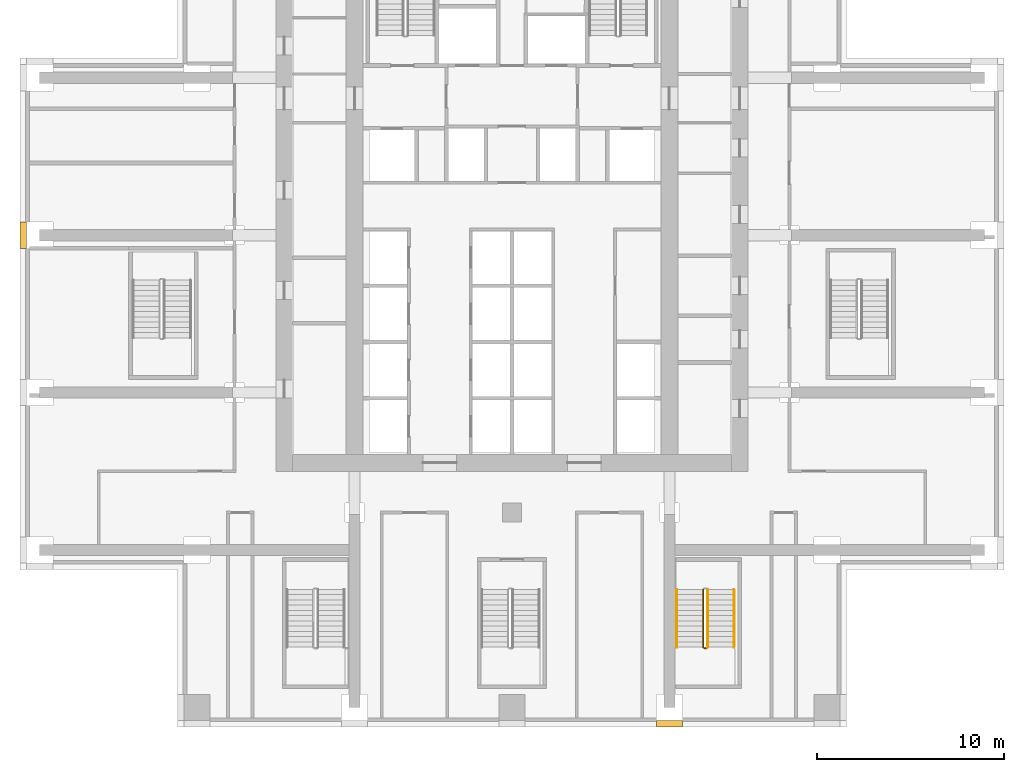
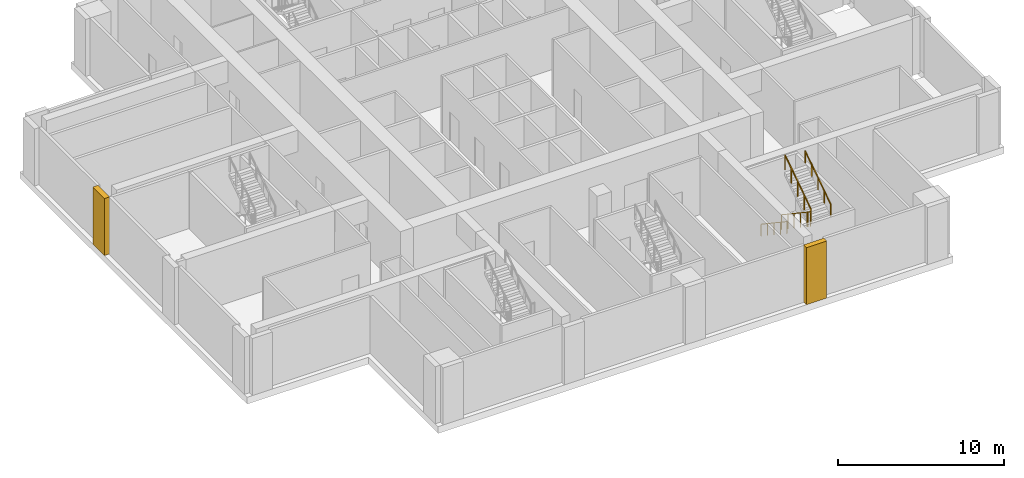
# One storey, part 8 of 11: 4 railings, 2 coverings.
"""IFC4 building model written with IfcOpenShell, lengths in metres."""

from ifc_helpers import new_model, si_unit, direction, frame, origin, origin_2d, place, context, subcontext, project, spatial, polyline, rectangle, outline, extrude, material, type_object, element, save


model = new_model("IFC4")

# Units and contexts
model_context = context("Model", 3, precision=1e-05, world=origin(), true_north=direction((0.0, 1.0)))
body_context = subcontext(model_context, "Body", "Model", "MODEL_VIEW")
ifc_project = project(units=[si_unit("LENGTHUNIT", "METRE"), si_unit("AREAUNIT", "SQUARE_METRE"), si_unit("VOLUMEUNIT", "CUBIC_METRE"), si_unit("PLANEANGLEUNIT", "RADIAN"), si_unit("MASSUNIT", "GRAM", prefix="KILO")], contexts=[model_context])

# Site, building, storey
site_placement = place(None, origin())
site = spatial("IfcSite", under=ifc_project, at=site_placement, CompositionType="ELEMENT")
building_placement = place(site_placement, origin())
building = spatial("IfcBuilding", under=site, at=building_placement, Name="Vermilion Ogive Tower", CompositionType="ELEMENT")
storey_placement = place(building_placement, frame((0.0, 0.0, 75.89990234375)))
storey = spatial("IfcBuildingStorey", under=building, at=storey_placement, Name="L18", CompositionType="ELEMENT", Elevation=75.89990234375)

# Railings
ifc_material_1 = material(Name="Steel S355 painted", Category="steel")
railing_type_1 = type_object("IfcRailingType", Name="Stair guard 1100", PredefinedType="GUARDRAIL", material=ifc_material_1)
railing_1_placement = place(storey_placement, frame((10.199951171875, -14.699951171875, 0.1875)))
element("IfcRailing", 1, at=railing_1_placement, inside=storey, type_object=railing_type_1, Name="L18 ST5 stair guard 1", PredefinedType="GUARDRAIL", context=body_context, shape_type="SweptSolid", body=[
    extrude(rectangle(XDim=0.048095703125, YDim=0.048095703125, at=origin_2d()), frame((0.0, 0.0, 1.076171875), z_axis=(0.0, -0.830913701846, 0.55640131208), x_axis=(1.0, 0.0, 0.0)), (0.0, 0.0, 1.0), 3.706787109375),
    extrude(rectangle(XDim=0.048095703125, YDim=0.048095703125, at=origin_2d()), frame((0.0, -3.080078125, 3.138671875), z_axis=(0.707106781187, -0.707106781187, 0.0), x_axis=(0.707106781187, 0.707106781187, 0.0)), (0.0, 0.0, 1.0), 0.07080078125),
    extrude(rectangle(XDim=0.048095703125, YDim=0.048095703125, at=origin_2d()), frame((0.050048828125, -3.130126953125, 3.138671875), z_axis=(1.0, 0.0, 0.0), x_axis=(0.0, 1.0, 0.0)), (0.0, 0.0, 1.0), 0.14990234375),
    extrude(rectangle(XDim=0.0419921875, YDim=0.0419921875, at=origin_2d()), origin(), (0.0, 0.0, 1.0), 1.052001953125),
    extrude(rectangle(XDim=0.0419921875, YDim=0.0419921875, at=origin_2d()), frame((0.0, -0.77001953125, 0.515625)), (0.0, 0.0, 1.0), 1.052001953125),
    extrude(rectangle(XDim=0.0419921875, YDim=0.0419921875, at=origin_2d()), frame((0.0, -1.5400390625, 1.03125)), (0.0, 0.0, 1.0), 1.052001953125),
    extrude(rectangle(XDim=0.0419921875, YDim=0.0419921875, at=origin_2d()), frame((0.0, -2.31005859375, 1.546875)), (0.0, 0.0, 1.0), 1.052001953125),
    extrude(rectangle(XDim=0.0419921875, YDim=0.0419921875, at=origin_2d()), frame((0.0, -3.080078125, 2.0625)), (0.0, 0.0, 1.0), 1.052001953125),
    extrude(rectangle(XDim=0.0419921875, YDim=0.0419921875, at=origin_2d()), frame((0.050048828125, -3.130126953125, 2.0625)), (0.0, 0.0, 1.0), 1.052001953125),
    extrude(rectangle(XDim=0.0419921875, YDim=0.0419921875, at=origin_2d()), frame((0.199951171875, -3.130126953125, 2.0625)), (0.0, 0.0, 1.0), 1.052001953125),
])
railing_2_placement = place(storey_placement, frame((10.449951171875, -17.780029296875, 2.4375)))
element("IfcRailing", 2, at=railing_2_placement, inside=storey, type_object=railing_type_1, Name="L18 ST5 stair guard 3", PredefinedType="GUARDRAIL", context=body_context, shape_type="SweptSolid", body=[
    extrude(rectangle(XDim=0.048095703125, YDim=0.048095703125, at=origin_2d()), frame((0.0, 0.0, 1.076171875), z_axis=(0.0, 0.830913701846, 0.55640131208), x_axis=(-1.0, 0.0, 0.0)), (0.0, 0.0, 1.0), 3.706787109375),
    extrude(rectangle(XDim=0.0419921875, YDim=0.0419921875, at=origin_2d()), origin(), (0.0, 0.0, 1.0), 1.052001953125),
    extrude(rectangle(XDim=0.0419921875, YDim=0.0419921875, at=origin_2d()), frame((0.0, 0.77001953125, 0.515625)), (0.0, 0.0, 1.0), 1.052001953125),
    extrude(rectangle(XDim=0.0419921875, YDim=0.0419921875, at=origin_2d()), frame((0.0, 1.5400390625, 1.03125)), (0.0, 0.0, 1.0), 1.052001953125),
    extrude(rectangle(XDim=0.0419921875, YDim=0.0419921875, at=origin_2d()), frame((0.0, 2.31005859375, 1.546875)), (0.0, 0.0, 1.0), 1.052001953125),
    extrude(rectangle(XDim=0.0419921875, YDim=0.0419921875, at=origin_2d()), frame((0.0, 3.080078125, 2.0625)), (0.0, 0.0, 1.0), 1.052001953125),
])
ifc_material_2 = material(Name="Stainless steel", Category="steel")
railing_type_2 = type_object("IfcRailingType", Name="Stair handrail 900", PredefinedType="HANDRAIL", material=ifc_material_2)
railing_3_placement = place(storey_placement, frame((8.800048828125, -14.699951171875, 0.1875)))
element("IfcRailing", 3, at=railing_3_placement, inside=storey, type_object=railing_type_2, Name="L18 ST5 stair handrail 1", PredefinedType="HANDRAIL", context=body_context, shape_type="SweptSolid", body=[
    extrude(rectangle(XDim=0.048095703125, YDim=0.048095703125, at=origin_2d()), frame((0.0, 0.0, 0.8759765625), z_axis=(0.0, -0.830913701846, 0.55640131208), x_axis=(1.0, 0.0, 0.0)), (0.0, 0.0, 1.0), 3.706787109375),
    extrude(rectangle(XDim=0.0419921875, YDim=0.0419921875, at=origin_2d()), origin(), (0.0, 0.0, 1.0), 0.851806640625),
    extrude(rectangle(XDim=0.0419921875, YDim=0.0419921875, at=origin_2d()), frame((0.0, -0.77001953125, 0.515625)), (0.0, 0.0, 1.0), 0.851806640625),
    extrude(rectangle(XDim=0.0419921875, YDim=0.0419921875, at=origin_2d()), frame((0.0, -1.5400390625, 1.03125)), (0.0, 0.0, 1.0), 0.851806640625),
    extrude(rectangle(XDim=0.0419921875, YDim=0.0419921875, at=origin_2d()), frame((0.0, -2.31005859375, 1.546875)), (0.0, 0.0, 1.0), 0.851806640625),
    extrude(rectangle(XDim=0.0419921875, YDim=0.0419921875, at=origin_2d()), frame((0.0, -3.080078125, 2.0625)), (0.0, 0.0, 1.0), 0.851806640625),
])
railing_4_placement = place(storey_placement, frame((11.85009765625, -17.780029296875, 2.4375)))
element("IfcRailing", 4, at=railing_4_placement, inside=storey, type_object=railing_type_2, Name="L18 ST5 stair handrail 2", PredefinedType="HANDRAIL", context=body_context, shape_type="SweptSolid", body=[
    extrude(rectangle(XDim=0.048095703125, YDim=0.048095703125, at=origin_2d()), frame((0.0, 0.0, 0.8759765625), z_axis=(0.0, 0.830913701846, 0.55640131208), x_axis=(-1.0, 0.0, 0.0)), (0.0, 0.0, 1.0), 3.706787109375),
    extrude(rectangle(XDim=0.0419921875, YDim=0.0419921875, at=origin_2d()), origin(), (0.0, 0.0, 1.0), 0.851806640625),
    extrude(rectangle(XDim=0.0419921875, YDim=0.0419921875, at=origin_2d()), frame((0.0, 0.77001953125, 0.515625)), (0.0, 0.0, 1.0), 0.851806640625),
    extrude(rectangle(XDim=0.0419921875, YDim=0.0419921875, at=origin_2d()), frame((0.0, 1.5400390625, 1.03125)), (0.0, 0.0, 1.0), 0.851806640625),
    extrude(rectangle(XDim=0.0419921875, YDim=0.0419921875, at=origin_2d()), frame((0.0, 2.31005859375, 1.546875)), (0.0, 0.0, 1.0), 0.851806640625),
    extrude(rectangle(XDim=0.0419921875, YDim=0.0419921875, at=origin_2d()), frame((0.0, 3.080078125, 2.0625)), (0.0, 0.0, 1.0), 0.851806640625),
])

# Coverings
ifc_material_3 = material(Name="Stone cladding", Category="masonry")
covering_type = type_object("IfcCoveringType", Name="Stone pier", PredefinedType="CLADDING", material=ifc_material_3)
covering_1_placement = place(storey_placement, origin())
element("IfcCovering", 5, at=covering_1_placement, inside=storey, type_object=covering_type, Name="Stone pier P+0084-210", PredefinedType="CLADDING", context=body_context, shape_type="SweptSolid", body=[
    extrude(outline(polyline([(9.10009765625, -21.699951171875), (9.10009765625, -22.050048828125), (7.699951171875, -22.050048828125), (7.699951171875, -21.699951171875), (9.10009765625, -21.699951171875), (9.10009765625, -21.699951171875)])), origin(), (0.0, 0.0, 1.0), 4.18017578125),
])
covering_2_placement = place(storey_placement, origin())
element("IfcCovering", 6, at=covering_2_placement, inside=storey, type_object=covering_type, Name="Stone pier P-0252+042", PredefinedType="CLADDING", context=body_context, shape_type="SweptSolid", body=[
    extrude(outline(polyline([(-26.25, 3.5), (-26.25, 4.89990234375), (-25.89990234375, 4.89990234375), (-25.89990234375, 3.5), (-26.25, 3.5)])), origin(), (0.0, 0.0, 1.0), 4.18017578125),
])

save(model, "model.ifc")
